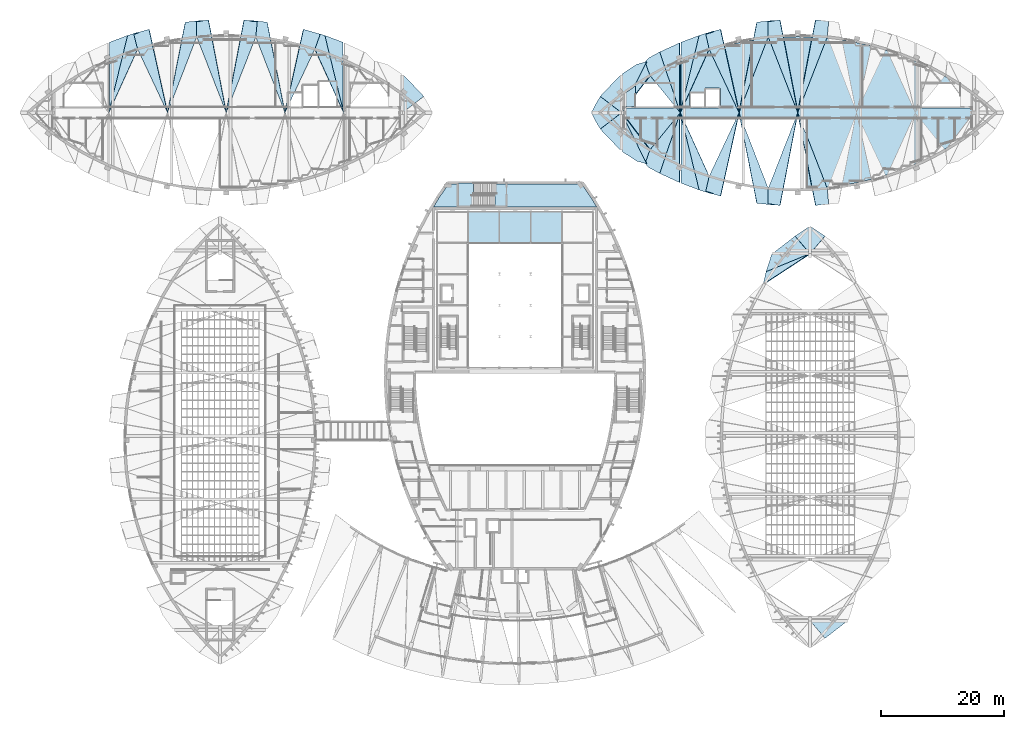
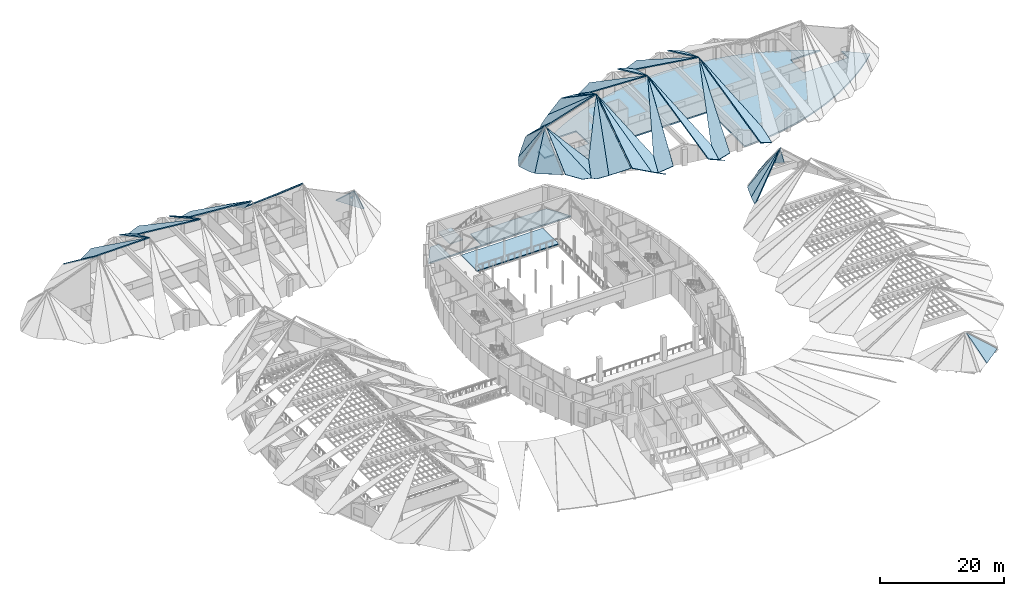
# One storey, part 25 of 56: 46 slabs, 1 element without a shape of its own.
"""IFC4 building model written with IfcOpenShell, lengths in metres."""

from ifc_helpers import new_model, si_unit, direction, frame, origin, place, context, subcontext, project, spatial, polyline, outline, extrude, material, layer, layer_set, type_object, element, aggregate, save


model = new_model("IFC4")

# Units and contexts
model_context = context("Model", 3, precision=1e-05, world=origin(), true_north=direction((0.0, 1.0)))
body_context = subcontext(model_context, "Body", "Model", "MODEL_VIEW")
ifc_project = project(units=[si_unit("LENGTHUNIT", "METRE"), si_unit("AREAUNIT", "SQUARE_METRE"), si_unit("VOLUMEUNIT", "CUBIC_METRE"), si_unit("PLANEANGLEUNIT", "RADIAN"), si_unit("MASSUNIT", "GRAM", prefix="KILO")], contexts=[model_context])

# Site, building, storey
site_placement = place(None, origin())
site = spatial("IfcSite", under=ifc_project, at=site_placement, CompositionType="ELEMENT")
building_placement = place(site_placement, origin())
building = spatial("IfcBuilding", under=site, at=building_placement, Name="Tide Square Theatres", CompositionType="ELEMENT")
storey_placement = place(building_placement, frame((0.0, 0.0, 10.199951171875)))
storey = spatial("IfcBuildingStorey", under=building, at=storey_placement, Name="L02", CompositionType="ELEMENT", Elevation=10.199951171875)

# Slabs
ifc_material_1 = material(Name="Concrete C35", Category="concrete")
ifc_layer_1 = layer(ifc_material_1, 0.199951171875)
ifc_layer_set_1 = layer_set([ifc_layer_1], Name="Concrete C35")
slab_type_1 = type_object("IfcSlabType", Name="RC floor slab 200", PredefinedType="FLOOR", material=ifc_layer_set_1)
slab_1_placement = place(storey_placement, frame((0.0, 0.0, -0.199951171875)))
element("IfcSlab", 1, at=slab_1_placement, inside=storey, type_object=slab_type_1, Name="Fly gallery floor", PredefinedType="FLOOR", context=body_context, shape_type="SweptSolid", body=[
    extrude(outline(polyline([(91.634521484375, 76.634521484375), (91.634521484375, 81.72412109375), (76.365478515625, 81.72412109375), (76.365478515625, 76.634521484375), (91.634521484375, 76.634521484375)])), origin(), (0.0, 0.0, 1.0), 0.199951171875),
])
ifc_material_2 = material(Name="Concrete C35", Category="concrete")
ifc_layer_2 = layer(ifc_material_2, 0.25)
ifc_layer_set_2 = layer_set([ifc_layer_2], Name="Concrete C35")
slab_type_2 = type_object("IfcSlabType", Name="RC floor slab 250", PredefinedType="FLOOR", material=ifc_layer_set_2)
slab_2_placement = place(storey_placement, frame((0.0, 0.0, -0.25)))
element("IfcSlab", 2, at=slab_2_placement, inside=storey, type_object=slab_type_2, Name="Floor slab", PredefinedType="FLOOR", context=body_context, shape_type="SweptSolid", body=[
    extrude(outline(polyline([(71.578125, 83.892333984375), (70.710205078125, 82.449951171875), (97.289794921875, 82.449951171875), (96.421875, 83.892333984375), (94.85498046875, 86.1923828125), (80.704345703125, 86.1923828125), (80.704345703125, 82.60009765625), (74.800048828125, 82.60009765625), (74.800048828125, 86.1923828125), (73.14501953125, 86.1923828125), (71.578125, 83.892333984375)])), origin(), (0.0, 0.0, 1.0), 0.25),
])
ifc_material_3 = material(Name="Concrete C35", Category="concrete")
ifc_layer_3 = layer(ifc_material_3, 0.280029296875)
ifc_layer_set_3 = layer_set([ifc_layer_3], Name="Concrete C35")
slab_type_3 = type_object("IfcSlabType", Name="RC floor slab 280", PredefinedType="FLOOR", material=ifc_layer_set_3)
slab_3_placement = place(storey_placement, frame((0.0, 0.0, -0.280029296875)))
element("IfcSlab", 3, at=slab_3_placement, inside=storey, type_object=slab_type_3, Name="Rehearsal Block floor slab L02", PredefinedType="FLOOR", context=body_context, shape_type="SweptSolid", body=[
    extrude(outline(polyline([(158.560546875, 94.95166015625), (160.484619140625, 96.473876953125), (161.993896484375, 97.800048828125), (160.484619140625, 99.1259765625), (158.560546875, 100.648193359375), (158.39990234375, 100.761474609375), (158.39990234375, 98.699951171875), (158.300048828125, 98.699951171875), (158.300048828125, 98.60009765625), (150.10009765625, 98.60009765625), (150.10009765625, 98.699951171875), (150.0, 98.699951171875), (150.0, 102.64990234375), (150.10009765625, 102.64990234375), (150.10009765625, 102.75), (155.48486328125, 102.75), (153.9609375, 103.697998046875), (151.53662109375, 105.017822265625), (149.03955078125, 106.195068359375), (146.72265625, 107.134521484375), (144.359130859375, 107.951171875), (141.9560546875, 108.642578125), (139.519775390625, 109.20703125), (137.1611328125, 109.626953125), (134.7841796875, 109.927490234375), (132.39501953125, 110.1083984375), (130.0, 110.168701171875), (127.60498046875, 110.1083984375), (125.2158203125, 109.927490234375), (122.8388671875, 109.626953125), (120.480224609375, 109.20703125), (118.0439453125, 108.642578125), (115.640869140625, 107.951171875), (113.27734375, 107.134521484375), (110.96044921875, 106.195068359375), (108.46337890625, 105.017822265625), (106.0390625, 103.697998046875), (104.51513671875, 102.75), (109.89990234375, 102.75), (109.89990234375, 102.64990234375), (110.0, 102.64990234375), (110.0, 98.699951171875), (109.89990234375, 98.699951171875), (109.89990234375, 98.60009765625), (101.699951171875, 98.60009765625), (101.699951171875, 98.699951171875), (101.60009765625, 98.699951171875), (101.60009765625, 100.761474609375), (101.439453125, 100.648193359375), (99.515380859375, 99.1259765625), (98.006103515625, 97.800048828125), (99.515380859375, 96.473876953125), (101.439453125, 94.95166015625), (103.6953125, 93.35986328125), (106.0390625, 91.90185546875), (108.46337890625, 90.582275390625), (109.89990234375, 89.905029296875), (109.89990234375, 89.92138671875), (109.91455078125, 89.923583984375), (109.927734375, 89.9296875), (109.938720703125, 89.939697265625), (109.9462890625, 89.9521484375), (109.94970703125, 89.96630859375), (109.949951171875, 96.85009765625), (131.449951171875, 96.85009765625), (131.449951171875, 85.529052734375), (131.4521484375, 85.5146484375), (131.45849609375, 85.50146484375), (131.46826171875, 85.490478515625), (131.48095703125, 85.48291015625), (131.4951171875, 85.4794921875), (131.5, 85.46923828125), (132.39501953125, 85.49169921875), (134.7841796875, 85.67236328125), (137.1611328125, 85.97314453125), (139.519775390625, 86.39306640625), (141.9560546875, 86.957275390625), (144.359130859375, 87.64892578125), (146.72265625, 88.465576171875), (149.03955078125, 89.405029296875), (151.53662109375, 90.582275390625), (153.9609375, 91.90185546875), (156.3046875, 93.35986328125), (158.560546875, 94.95166015625)]), holes=[polyline([(117.39990234375, 101.699951171875), (117.39990234375, 98.699951171875), (117.300048828125, 98.699951171875), (117.300048828125, 98.60009765625), (114.89990234375, 98.60009765625), (112.5, 98.60009765625), (112.5, 98.699951171875), (112.39990234375, 98.699951171875), (112.39990234375, 101.10009765625), (112.5, 101.10009765625), (112.5, 101.199951171875), (114.800048828125, 101.199951171875), (114.800048828125, 101.699951171875), (114.89990234375, 101.699951171875), (114.89990234375, 101.800048828125), (117.300048828125, 101.800048828125), (117.300048828125, 101.699951171875), (117.39990234375, 101.699951171875)])]), origin(), (0.0, 0.0, 1.0), 0.280029296875),
])
slab_4_placement = place(storey_placement, frame((0.0, 0.0, -0.280029296875)))
element("IfcSlab", 4, at=slab_4_placement, inside=storey, type_object=slab_type_3, Name="Rehearsal Block floor slab L02", PredefinedType="FLOOR", context=body_context, shape_type="SweptSolid", body=[
    extrude(outline(polyline([(103.600830078125, 102.17333984375), (101.61328125, 100.770751953125), (101.800048828125, 100.770751953125), (101.800048828125, 98.800048828125), (103.600830078125, 98.800048828125), (103.600830078125, 102.17333984375)])), origin(), (0.0, 0.0, 1.0), 0.280029296875),
])

# Stair, slab
ifc_material_4 = material(Name="Concrete C35", Category="concrete")
stair_type = type_object("IfcStairType", Name="Stair half turn 1800 wide, 28 risers, rise 4600", PredefinedType="HALF_TURN_STAIR", material=ifc_material_4)
stair_placement = place(storey_placement, origin())
stair = element("IfcStair", 5, at=stair_placement, inside=storey, type_object=stair_type, Name="Main Theatre North Stair", PredefinedType="HALF_TURN_STAIR")
ifc_material_5 = material(Name="Concrete C35", Category="concrete")
ifc_layer_4 = layer(ifc_material_5, 0.199951171875)
ifc_layer_set_4 = layer_set([ifc_layer_4], Name="Concrete C35")
slab_type_4 = type_object("IfcSlabType", Name="RC landing slab 200", PredefinedType="LANDING", material=ifc_layer_set_4)
slab_5_placement = place(storey_placement, frame((0.0, 0.0, 2.10009765625)))
slab_5 = element("IfcSlab", 6, at=slab_5_placement, type_object=slab_type_4, Name="ST-1800-4600 landing 1", PredefinedType="LANDING", context=body_context, shape_type="SweptSolid", body=[
    extrude(outline(polyline([(77.22998046875, 86.39990234375), (74.800048828125, 86.39990234375), (74.800048828125, 82.60009765625), (77.22998046875, 82.60009765625), (77.22998046875, 86.39990234375)])), origin(), (0.0, 0.0, 1.0), 0.199951171875),
])
aggregate(stair, [slab_5])

# Slabs
ifc_material_6 = material(Name="Concrete C40", Category="concrete")
ifc_layer_5 = layer(ifc_material_6, 0.199951171875)
ifc_layer_set_5 = layer_set([ifc_layer_5], Name="Concrete C40")
slab_type_5 = type_object("IfcSlabType", Name="RC roof slab 200", PredefinedType="ROOF", material=ifc_layer_set_5)
slab_6_placement = place(storey_placement, frame((124.68359375, 70.084228515625, 0.60009765625), z_axis=(-0.643714238724, 0.148574281776, 0.750704776632), x_axis=(0.714543766074, 0.467885303597, 0.520106286294)))
element("IfcSlab", 7, at=slab_6_placement, inside=storey, type_object=slab_type_5, Name="Roof plate blackbox-P058", PredefinedType="ROOF", context=body_context, shape_type="SweptSolid", body=[
    extrude(outline(polyline([(0.0, 0.0), (10.239218583282375, 4.440892098500626e-16), (0.8525325142473058, 1.6620956280765924), (-0.2815454040723172, 0.21398583864742554), (0.0, 0.0)])), origin(), (0.0, 0.0, -1.0), 0.199951171875),
])
slab_7_placement = place(storey_placement, frame((125.75048828125, 74.73779296875, 0.37451171875), z_axis=(-0.651841129726, 0.209992899881, 0.728701669819), x_axis=(-0.306634505872, -0.951827337183, 0.0)))
element("IfcSlab", 8, at=slab_7_placement, inside=storey, type_object=slab_type_5, Name="Roof plate blackbox-P059", PredefinedType="ROOF", context=body_context, shape_type="SweptSolid", body=[
    extrude(outline(polyline([(0.0, 0.0), (2.9443262710539138, 0.0), (-1.8141293898416808, 7.727795903360272), (0.0, 0.0)])), origin(), (0.0, 0.0, -1.0), 0.199951171875),
])
slab_8_placement = place(storey_placement, frame((134.43798828125, 12.27490234375, 0.4541015625), z_axis=(0.505388987693, -0.652221904847, 0.564967749483), x_axis=(0.790463748329, 0.612508826531, 0.0)))
element("IfcSlab", 9, at=slab_8_placement, inside=storey, type_object=slab_type_5, Name="Roof plate blackbox-P061", PredefinedType="ROOF", context=body_context, shape_type="SweptSolid", body=[
    extrude(outline(polyline([(0.0, 0.0), (4.429942539145969, 0.0), (-0.1725403548716351, 6.312464078288514), (0.0, 0.0)])), origin(), (0.0, 0.0, -1.0), 0.199951171875),
])
slab_9_placement = place(storey_placement, frame((134.4375, 77.724365234375, 0.45556640625), z_axis=(0.454892584477, 0.690472240964, 0.562424058026), x_axis=(-0.83506454786, 0.550151979827, 0.0)))
element("IfcSlab", 10, at=slab_9_placement, inside=storey, type_object=slab_type_5, Name="Roof plate blackbox-P066", PredefinedType="ROOF", context=body_context, shape_type="SweptSolid", body=[
    extrude(outline(polyline([(0.0, 0.0), (2.8046227344058856, 0.0), (0.44955319966979107, 6.355902273658434), (0.0, 0.0)])), origin(), (0.0, 0.0, -1.0), 0.199951171875),
])
slab_10_placement = place(storey_placement, frame((131.904541015625, 79.267333984375, 0.45556640625), z_axis=(-0.454892584477, 0.690472240964, 0.562424058026), x_axis=(-0.83506454786, -0.550151979827, 0.0)))
element("IfcSlab", 11, at=slab_10_placement, inside=storey, type_object=slab_type_5, Name="Roof plate blackbox-P067", PredefinedType="ROOF", context=body_context, shape_type="SweptSolid", body=[
    extrude(outline(polyline([(0.0, 0.0), (2.8046227344058856, 0.0), (2.3550695347360944, 6.355902273658434), (0.0, 0.0)])), origin(), (0.0, 0.0, -1.0), 0.199951171875),
])
slab_11_placement = place(storey_placement, frame((129.56201171875, 77.72509765625, 0.4541015625), z_axis=(-0.505388987693, 0.652221904847, 0.564967749483), x_axis=(-0.790463748329, -0.612508826531, 0.0)))
element("IfcSlab", 12, at=slab_11_placement, inside=storey, type_object=slab_type_5, Name="Roof plate blackbox-P068", PredefinedType="ROOF", context=body_context, shape_type="SweptSolid", body=[
    extrude(outline(polyline([(0.0, 0.0), (4.429942539145969, 0.0), (-0.1725403548716351, 6.312464078288514), (0.0, 0.0)])), origin(), (0.0, 0.0, -1.0), 0.199951171875),
])
slab_12_placement = place(storey_placement, frame((20.9541015625, 110.379150390625, 0.94775390625), z_axis=(0.06623032582, 0.598255508903, 0.798563641803), x_axis=(-0.88487122122, -0.334627393753, 0.324079356341)))
element("IfcSlab", 13, at=slab_12_placement, inside=storey, type_object=slab_type_5, Name="Roof plate workshops-P036", PredefinedType="ROOF", context=body_context, shape_type="SweptSolid", body=[
    extrude(outline(polyline([(0.0, 0.0), (3.35611159147586, -1.1102230246251565e-16), (9.725310402656666, 12.222679632660084), (0.0, 0.0)])), origin(), (0.0, 0.0, -1.0), 0.199951171875),
])
slab_13_placement = place(storey_placement, frame((20.9541015625, 110.379150390625, 0.94775390625), z_axis=(0.099074281078, 0.591495763917, 0.800198130525), x_axis=(-0.190127628326, -0.778087179559, 0.598691762055)))
element("IfcSlab", 14, at=slab_13_placement, inside=storey, type_object=slab_type_5, Name="Roof plate workshops-P037", PredefinedType="ROOF", context=body_context, shape_type="SweptSolid", body=[
    extrude(outline(polyline([(0.0, 0.0), (16.1666032458858, -6.106226635438361e-16), (2.3011176626064285, 2.113107156845806), (-0.595881590544826, 0.893574770098355), (-1.094357546926303, 1.621641256552425), (-1.0886864027730347, 1.5277726735445867), (0.0, 0.0)])), origin(), (0.0, 0.0, -1.0), 0.199951171875),
])
slab_14_placement = place(storey_placement, frame((27.440185546875, 97.800048828125, 10.913330078125), z_axis=(-0.422766148913, 0.449226345244, 0.787060654633), x_axis=(-0.179509424658, 0.809771314649, -0.558611478964)))
element("IfcSlab", 15, at=slab_14_placement, inside=storey, type_object=slab_type_5, Name="Roof plate workshops-P038", PredefinedType="ROOF", context=body_context, shape_type="SweptSolid", body=[
    extrude(outline(polyline([(0.0, 0.0), (16.76549582209641, 4.440892098500626e-16), (17.144450857781187, 2.727072173806849), (14.00239996529097, 2.6411646859378646), (0.0, 0.0)])), origin(), (0.0, 0.0, -1.0), 0.199951171875),
])
slab_15_placement = place(storey_placement, frame((30.3427734375, 112.535888671875, 1.58349609375), z_axis=(0.255405319126, 0.480789752331, 0.838814244643), x_axis=(-0.164162160911, -0.833425704154, 0.527685873016)))
element("IfcSlab", 16, at=slab_15_placement, inside=storey, type_object=slab_type_5, Name="Roof plate workshops-P042", PredefinedType="ROOF", context=body_context, shape_type="SweptSolid", body=[
    extrude(outline(polyline([(0.0, 0.0), (17.680944389574357, 1.1102230246251565e-15), (2.134610178837508, 2.312620666676484), (-0.783198107922328, 1.7279167860996378), (-1.2527378791404447, 2.816476058496956), (-1.2949365880693902, 2.8225649141952798), (0.0, 0.0)])), origin(), (0.0, 0.0, -1.0), 0.199951171875),
])
slab_16_placement = place(storey_placement, frame((37.0, 97.800048828125, 11.199951171875), z_axis=(-0.342870464133, 0.453614779365, 0.822601651327), x_axis=(-0.160466265227, 0.834530112985, -0.527076909233)))
element("IfcSlab", 17, at=slab_16_placement, inside=storey, type_object=slab_type_5, Name="Roof plate workshops-P043", PredefinedType="ROOF", context=body_context, shape_type="SweptSolid", body=[
    extrude(outline(polyline([(0.0, 0.0), (18.07772743621113, 4.440892098500626e-16), (18.641196377135536, 2.0430970755247295), (15.696054855494086, 2.4692722108014946), (0.0, 0.0)])), origin(), (0.0, 0.0, -1.0), 0.199951171875),
])
slab_17_placement = place(storey_placement, frame((39.90087890625, 112.886474609375, 1.671630859375), z_axis=(0.342873009651, 0.453616067354, 0.82259988007), x_axis=(-0.160465436525, -0.834529016633, 0.527078897394)))
element("IfcSlab", 18, at=slab_17_placement, inside=storey, type_object=slab_type_5, Name="Roof plate workshops-P047", PredefinedType="ROOF", context=body_context, shape_type="SweptSolid", body=[
    extrude(outline(polyline([(0.0, 0.0), (18.077727436063157, 0.0), (2.381672580736537, 2.469272210782692), (-0.6134800034335333, 2.2248884796326287), (0.0, 0.0)])), origin(), (0.0, 0.0, -1.0), 0.199951171875),
])
slab_18_placement = place(storey_placement, frame((46.559814453125, 97.800048828125, 11.48681640625), z_axis=(-0.245501598222, 0.512060501985, 0.823117857647), x_axis=(-0.160702242425, 0.81585720021, -0.555474408183)))
element("IfcSlab", 19, at=slab_18_placement, inside=storey, type_object=slab_type_5, Name="Roof plate workshops-P048", PredefinedType="ROOF", context=body_context, shape_type="SweptSolid", body=[
    extrude(outline(polyline([(0.0, 0.0), (18.061709760814125, -6.661338147750939e-16), (19.369029714819476, 2.815747987671669), (19.32600435635726, 2.8096871912561565), (18.777146014182854, 1.5519794132849496), (15.868445072490749, 2.3070431517808276), (0.0, 0.0)])), origin(), (0.0, 0.0, -1.0), 0.199951171875),
])
slab_19_placement = place(storey_placement, frame((49.5693359375, 111.376220703125, 1.415771484375), z_axis=(0.424272006735, 0.476957846031, 0.769743124302), x_axis=(-0.175281852205, -0.790709261236, 0.586562133523)))
element("IfcSlab", 20, at=slab_19_placement, inside=storey, type_object=slab_type_5, Name="Roof plate workshops-P052", PredefinedType="ROOF", context=body_context, shape_type="SweptSolid", body=[
    extrude(outline(polyline([(0.0, 0.0), (17.169612929908467, 0.0), (2.810558823049419, 2.637005161369771), (-0.4475770837669907, 2.987055768609711), (0.0, 0.0)])), origin(), (0.0, 0.0, -1.0), 0.199951171875),
])
slab_20_placement = place(storey_placement, frame((56.11962890625, 97.800048828125, 11.589111328125), z_axis=(-0.065074652102, 0.646114760415, 0.76046104833), x_axis=(-0.181247514853, 0.741747248247, -0.645724676683)))
element("IfcSlab", 21, at=slab_20_placement, inside=storey, type_object=slab_type_5, Name="Roof plate workshops-P053", PredefinedType="ROOF", context=body_context, shape_type="SweptSolid", body=[
    extrude(outline(polyline([(0.0, 0.0), (16.95874660122697, -4.440892098500626e-16), (17.461479966463084, 0.7147365700821405), (17.46858223717171, 0.7808458137553919), (17.39880958394936, 0.6773032556645879), (14.456439446459013, 2.119677336280744), (0.0, 0.0)])), origin(), (0.0, 0.0, -1.0), 0.199951171875),
])
slab_21_placement = place(storey_placement, frame((53.0458984375, 110.379150390625, 0.638427734375), z_axis=(-0.02843194865, 0.652368738466, 0.75736824159), x_axis=(0.181252410743, -0.741750037515, 0.645720098375)))
element("IfcSlab", 22, at=slab_21_placement, inside=storey, type_object=slab_type_5, Name="Roof plate workshops-P054", PredefinedType="ROOF", context=body_context, shape_type="SweptSolid", body=[
    extrude(outline(polyline([(0.0, 0.0), (16.377745527410646, 2.220446049250313e-16), (2.0670313499123716, 2.638640982679802), (0.0, 0.0)])), origin(), (0.0, 0.0, -1.0), 0.199951171875),
])
slab_22_placement = place(storey_placement, frame((69.1220703125, 100.435302734375, 0.459716796875), z_axis=(0.65927905337, 0.505987691993, 0.556172262288), x_axis=(-0.608881403568, 0.79326126251, 7.6091522e-05)))
element("IfcSlab", 23, at=slab_22_placement, inside=storey, type_object=slab_type_5, Name="Roof plate workshops-P068", PredefinedType="ROOF", context=body_context, shape_type="SweptSolid", body=[
    extrude(outline(polyline([(0.0, 0.0), (0.6546801849085839, 2.7755575615628914e-17), (4.770654709073006, 0.9037800923142743), (0.005499313128475888, 7.480559383794949), (0.0, 0.0)])), origin(), (0.0, 0.0, -1.0), 0.199951171875),
])
slab_23_placement = place(storey_placement, frame((103.793212890625, 89.921630859375, 0.374755859375), z_axis=(-0.178013644011, -0.66219448838, 0.727880211371), x_axis=(0.965721873335, -0.259579010356, 2.7311934e-05)))
element("IfcSlab", 24, at=slab_23_placement, inside=storey, type_object=slab_type_5, Name="Roof plate rehearsal-P001", PredefinedType="ROOF", context=body_context, shape_type="SweptSolid", body=[
    extrude(outline(polyline([(0.0, 0.0), (1.6705328274869389, -1.1102230246251565e-16), (-4.226688285931531, 9.24626440507435), (-2.6528243358009003, 1.2011072389629083), (0.0, 0.0)])), origin(), (0.0, 0.0, -1.0), 0.199951171875),
])
slab_24_placement = place(storey_placement, frame((105.9384765625, 91.72900390625, 2.400146484375), z_axis=(-0.117595985781, -0.650314501676, 0.750507983327), x_axis=(-0.520388219908, 0.684030757186, 0.511173183769)))
element("IfcSlab", 25, at=slab_24_placement, inside=storey, type_object=slab_type_5, Name="Roof plate rehearsal-P002", PredefinedType="ROOF", context=body_context, shape_type="SweptSolid", body=[
    extrude(outline(polyline([(0.0, 0.0), (8.875397572544687, -1.1102230246251565e-15), (-1.8675202741764825, 1.9612902295326888), (0.0, 0.0)])), origin(), (0.0, 0.0, -1.0), 0.199951171875),
])
slab_25_placement = place(storey_placement, frame((107.529541015625, 87.916259765625, 1.037841796875), z_axis=(-0.519969974524, -0.471489505242, 0.71227022403), x_axis=(0.243273294568, 0.717585510911, 0.652601822462)))
element("IfcSlab", 26, at=slab_25_placement, inside=storey, type_object=slab_type_5, Name="Roof plate rehearsal-P003", PredefinedType="ROOF", context=body_context, shape_type="SweptSolid", body=[
    extrude(outline(polyline([(0.0, 0.0), (13.773559347960825, 0.0), (3.2379489825529753, 2.9051788968457872), (0.5299787106096371, 2.9396512759527855), (1.0665592214772783, 3.5039755422514274), (0.4483499746661139, 3.674516593115496), (-0.166261209351521, 2.1219503799499075), (0.0, 0.0)])), origin(), (0.0, 0.0, -1.0), 0.199951171875),
])
slab_26_placement = place(storey_placement, frame((107.529541015625, 87.916259765625, 1.037841796875), z_axis=(-0.489763541544, -0.489868173917, 0.721221772798), x_axis=(0.862270624422, -0.394480870498, 0.317607010424)))
element("IfcSlab", 27, at=slab_26_placement, inside=storey, type_object=slab_type_5, Name="Roof plate rehearsal-P004", PredefinedType="ROOF", context=body_context, shape_type="SweptSolid", body=[
    extrude(outline(polyline([(0.0, 0.0), (3.7665700794948553, 0.0), (1.788428627557392, 13.230363907333352), (0.0, 0.0)])), origin(), (0.0, 0.0, -1.0), 0.199951171875),
])
slab_27_placement = place(storey_placement, frame((113.9541015625, 85.220947265625, 1.14013671875), z_axis=(0.091732783049, -0.559507356838, 0.82373333923), x_axis=(-0.19571930528, 0.800955000653, 0.56583128269)))
element("IfcSlab", 28, at=slab_27_placement, inside=storey, type_object=slab_type_5, Name="Roof plate rehearsal-P006", PredefinedType="ROOF", context=body_context, shape_type="SweptSolid", body=[
    extrude(outline(polyline([(0.0, 0.0), (15.17963320672834, -5.551115123125783e-16), (2.100388944503825, 2.621840644276902), (0.0, 0.0)])), origin(), (0.0, 0.0, -1.0), 0.199951171875),
])
slab_28_placement = place(storey_placement, frame((110.88037109375, 97.800048828125, 10.0263671875), z_axis=(0.121533321224, -0.552724941488, 0.824454238202), x_axis=(0.195716392917, -0.800960210931, -0.565824914659)))
element("IfcSlab", 29, at=slab_28_placement, inside=storey, type_object=slab_type_5, Name="Roof plate rehearsal-P007", PredefinedType="ROOF", context=body_context, shape_type="SweptSolid", body=[
    extrude(outline(polyline([(0.0, 0.0), (15.704989877586463, -1.1102230246251565e-16), (17.153127848278423, 2.022713459005412), (17.155058341882324, 2.1279568779853166), (16.34837409265048, 0.9564596706246756), (13.518574304417246, 2.111170132673807), (0.0, 0.0)])), origin(), (0.0, 0.0, -1.0), 0.199951171875),
])
slab_29_placement = place(storey_placement, frame((117.4306640625, 84.2236328125, 1.68603515625), z_axis=(-0.420610792613, -0.41833606762, 0.805035089711), x_axis=(0.183899029788, 0.829610035015, 0.527189090029)))
element("IfcSlab", 30, at=slab_29_placement, inside=storey, type_object=slab_type_5, Name="Roof plate rehearsal-P008", PredefinedType="ROOF", context=body_context, shape_type="SweptSolid", body=[
    extrude(outline(polyline([(0.0, 0.0), (16.364743323167758, -1.3322676295501878e-15), (2.7195104942591906, 2.645422582283846), (-0.3368018845961379, 2.654238810147346), (0.0, 0.0)])), origin(), (0.0, 0.0, -1.0), 0.199951171875),
])
slab_30_placement = place(storey_placement, frame((120.440185546875, 97.800048828125, 10.313232421875), z_axis=(0.265745351464, -0.446099549126, 0.854619564745), x_axis=(0.167739170414, -0.851576529122, -0.496669896166)))
element("IfcSlab", 31, at=slab_30_placement, inside=storey, type_object=slab_type_5, Name="Roof plate rehearsal-P012", PredefinedType="ROOF", context=body_context, shape_type="SweptSolid", body=[
    extrude(outline(polyline([(0.0, 0.0), (17.304193724736944, 8.881784197001252e-16), (18.583547740585296, 2.830670513700952), (18.542593852453326, 2.824543200785863), (18.08409614912552, 1.7467851380785104), (15.224988996677752, 2.3192813477267564), (0.0, 0.0)])), origin(), (0.0, 0.0, -1.0), 0.199951171875),
])
slab_31_placement = place(storey_placement, frame((127.09912109375, 82.71337890625, 1.795166015625), z_axis=(-0.346183256286, -0.422354163092, 0.837719591502), x_axis=(0.163821866106, 0.851999265291, 0.49725209716)))
element("IfcSlab", 32, at=slab_31_placement, inside=storey, type_object=slab_type_5, Name="Roof plate rehearsal-P013", PredefinedType="ROOF", context=body_context, shape_type="SweptSolid", body=[
    extrude(outline(polyline([(0.0, 0.0), (17.707329808538216, -2.220446049250313e-16), (2.3405486139440663, 2.475503114854422), (-0.5416390038447828, 2.033643190903359), (0.0, 0.0)])), origin(), (0.0, 0.0, -1.0), 0.199951171875),
])
slab_32_placement = place(storey_placement, frame((130.0, 97.800048828125, 10.60009765625), z_axis=(0.346175123357, -0.422349776065, 0.837725164136), x_axis=(0.163824580539, -0.852002576992, -0.497245528497)))
element("IfcSlab", 33, at=slab_32_placement, inside=storey, type_object=slab_type_5, Name="Roof plate rehearsal-P017", PredefinedType="ROOF", context=body_context, shape_type="SweptSolid", body=[
    extrude(outline(polyline([(0.0, 0.0), (17.707329808698134, -2.220446049250313e-16), (18.297369410259684, 2.2152900454326856), (15.36678119477521, 2.4755031148744076), (0.0, 0.0)])), origin(), (0.0, 0.0, -1.0), 0.199951171875),
])
slab_33_placement = place(storey_placement, frame((105.406494140625, 106.112060546875, 0.374755859375), z_axis=(-0.178013644011, 0.66219448838, 0.727880211371), x_axis=(-0.965702460656, -0.259651219183, 4.312824e-05)))
element("IfcSlab", 34, at=slab_33_placement, inside=storey, type_object=slab_type_5, Name="Roof plate rehearsal-P031", PredefinedType="ROOF", context=body_context, shape_type="SweptSolid", body=[
    extrude(outline(polyline([(0.0, 0.0), (1.6705962100834852, -1.1102230246251565e-16), (4.323480526318124, 1.2006631081986845), (5.898234312397276, 9.24583016234023), (0.0, 0.0)])), origin(), (0.0, 0.0, -1.0), 0.199951171875),
])
slab_34_placement = place(storey_placement, frame((105.25146484375, 105.79638671875, 0.6240234375), z_axis=(-0.11757226983, 0.650321109329, 0.750505973413), x_axis=(-0.360030328582, -0.732244992054, 0.578096388255)))
element("IfcSlab", 35, at=slab_34_placement, inside=storey, type_object=slab_type_5, Name="Roof plate rehearsal-P032", PredefinedType="ROOF", context=body_context, shape_type="SweptSolid", body=[
    extrude(outline(polyline([(0.0, 0.0), (10.920303965750922, -4.440892098500626e-16), (2.18939016900773, 1.594008163960554), (0.0, 0.0)])), origin(), (0.0, 0.0, -1.0), 0.199951171875),
])
slab_35_placement = place(storey_placement, frame((110.88037109375, 97.800048828125, 10.0263671875), z_axis=(-0.51999951949, 0.471465289774, 0.712264684136), x_axis=(-0.243276712562, 0.717588610503, -0.652597140049)))
element("IfcSlab", 36, at=slab_35_placement, inside=storey, type_object=slab_type_5, Name="Roof plate rehearsal-P033", PredefinedType="ROOF", context=body_context, shape_type="SweptSolid", body=[
    extrude(outline(polyline([(0.0, 0.0), (13.773559348812654, 0.0), (13.93982055654842, 2.1219503849647894), (13.325034180768096, 3.674641743470548), (12.7068249339519, 3.5041006927674725), (13.243405444882534, 2.939776427464783), (10.535435172897632, 2.905304047700632), (0.0, 0.0)])), origin(), (0.0, 0.0, -1.0), 0.199951171875),
])
slab_36_placement = place(storey_placement, frame((107.529541015625, 107.683837890625, 1.037841796875), z_axis=(-0.489763541544, 0.489868173917, 0.721221772798), x_axis=(0.243268473901, -0.717589880806, 0.652598814411)))
element("IfcSlab", 37, at=slab_36_placement, inside=storey, type_object=slab_type_5, Name="Roof plate rehearsal-P034", PredefinedType="ROOF", context=body_context, shape_type="SweptSolid", body=[
    extrude(outline(polyline([(0.0, 0.0), (13.35069309348155, 0.0), (0.5045612022314165, 3.732622155663317), (0.0, 0.0)])), origin(), (0.0, 0.0, -1.0), 0.199951171875),
])
slab_37_placement = place(storey_placement, frame((113.9541015625, 110.379150390625, 1.14013671875), z_axis=(0.091732783049, 0.559507356838, 0.82373333923), x_axis=(-0.884363962895, -0.334443500472, 0.325650005566)))
element("IfcSlab", 38, at=slab_37_placement, inside=storey, type_object=slab_type_5, Name="Roof plate rehearsal-P036", PredefinedType="ROOF", context=body_context, shape_type="SweptSolid", body=[
    extrude(outline(polyline([(0.0, 0.0), (3.359416925922743, 1.1102230246251565e-16), (9.490674861762773, 11.846871104182483), (0.0, 0.0)])), origin(), (0.0, 0.0, -1.0), 0.199951171875),
])
slab_38_placement = place(storey_placement, frame((113.9541015625, 110.379150390625, 1.14013671875), z_axis=(0.121591012942, 0.552708323443, 0.824456872595), x_axis=(-0.195716819478, -0.800962150869, 0.565822021)))
element("IfcSlab", 39, at=slab_38_placement, inside=storey, type_object=slab_type_5, Name="Roof plate rehearsal-P037", PredefinedType="ROOF", context=body_context, shape_type="SweptSolid", body=[
    extrude(outline(polyline([(0.0, 0.0), (15.704989877677418, -8.326672684688674e-17), (2.1866111205043204, 2.1112263189235283), (-0.6433842147288638, 0.9564596747986828), (-1.4500684635476757, 2.127956887316765), (-1.4481379701469714, 2.0227134650415497), (0.0, 0.0)])), origin(), (0.0, 0.0, -1.0), 0.199951171875),
])
slab_39_placement = place(storey_placement, frame((115.58056640625, 108.141845703125, 2.400146484375), z_axis=(-0.420610792613, 0.41833606762, 0.805035089711), x_axis=(0.349633672257, -0.744059871846, 0.569325216666)))
element("IfcSlab", 40, at=slab_39_placement, inside=storey, type_object=slab_type_5, Name="Roof plate rehearsal-P038", PredefinedType="ROOF", context=body_context, shape_type="SweptSolid", body=[
    extrude(outline(polyline([(0.0, 0.0), (13.899121909246489, 6.661338147750939e-16), (-2.1662737970234747, 3.114683901068083), (-3.002299248992779, 0.5732005060147887), (0.0, 0.0)])), origin(), (0.0, 0.0, -1.0), 0.199951171875),
])
slab_40_placement = place(storey_placement, frame((123.3427734375, 112.535888671875, 1.71875), z_axis=(0.265746048314, 0.446097018524, 0.854620668992), x_axis=(-0.167739857783, -0.85157768298, 0.496667685642)))
element("IfcSlab", 41, at=slab_40_placement, inside=storey, type_object=slab_type_5, Name="Roof plate rehearsal-P042", PredefinedType="ROOF", context=body_context, shape_type="SweptSolid", body=[
    extrude(outline(polyline([(0.0, 0.0), (17.30419372464782, 2.220446049250313e-16), (2.0792047279547115, 2.3192813476861067), (-0.7799024239303924, 1.7467851382895527), (-1.2381922228719295, 2.8246104228763618), (-1.2793540157976766, 2.8306705137243426), (0.0, 0.0)])), origin(), (0.0, 0.0, -1.0), 0.199951171875),
])
slab_41_placement = place(storey_placement, frame((130.0, 97.800048828125, 10.60009765625), z_axis=(-0.346149132755, 0.422369399534, 0.837726010239), x_axis=(-0.163824352835, 0.851996171936, -0.49725657806)))
element("IfcSlab", 42, at=slab_41_placement, inside=storey, type_object=slab_type_5, Name="Roof plate rehearsal-P043", PredefinedType="ROOF", context=body_context, shape_type="SweptSolid", body=[
    extrude(outline(polyline([(0.0, 0.0), (17.70712180096589, 8.881784197001252e-16), (18.248977487032047, 2.0335653471262316), (15.366791753773487, 2.4754375683268837), (0.0, 0.0)])), origin(), (0.0, 0.0, -1.0), 0.199951171875),
])
slab_42_placement = place(storey_placement, frame((132.90087890625, 112.886474609375, 1.795166015625), z_axis=(0.346141337922, 0.422365194492, 0.837731351128), x_axis=(-0.163826954272, -0.851999346219, 0.497250282147)))
element("IfcSlab", 43, at=slab_42_placement, inside=storey, type_object=slab_type_5, Name="Roof plate rehearsal-P047", PredefinedType="ROOF", context=body_context, shape_type="SweptSolid", body=[
    extrude(outline(polyline([(0.0, 0.0), (17.70712180092473, 1.3322676295501878e-15), (2.3403300471978428, 2.475437568321741), (-0.5902570580936151, 2.2152120012423997), (0.0, 0.0)])), origin(), (0.0, 0.0, -1.0), 0.199951171875),
])
slab_43_placement = place(storey_placement, frame((97.8779296875, 95.16455078125, 0.459716796875), z_axis=(-0.65927376018, -0.505979747872, 0.556185763825), x_axis=(0.608879375431, -0.793262819071, 7.7805203e-05)))
element("IfcSlab", 44, at=slab_43_placement, inside=storey, type_object=slab_type_5, Name="Roof plate rehearsal-P061", PredefinedType="ROOF", context=body_context, shape_type="SweptSolid", body=[
    extrude(outline(polyline([(0.0, 0.0), (0.6546801846298076, 0.0), (4.7706547111044495, 0.9037800815911866), (0.005305662173552249, 7.4806420750063864), (0.0, 0.0)])), origin(), (0.0, 0.0, -1.0), 0.199951171875),
])
slab_44_placement = place(storey_placement, frame((97.401611328125, 95.89453125, 0.46044921875), z_axis=(-0.696320129887, -0.454942573351, 0.555126590668), x_axis=(0.546967699338, -0.837153710907, 1.3971438e-05)))
element("IfcSlab", 45, at=slab_44_placement, inside=storey, type_object=slab_type_5, Name="Roof plate rehearsal-P062", PredefinedType="ROOF", context=body_context, shape_type="SweptSolid", body=[
    extrude(outline(polyline([(0.0, 0.0), (0.871699306325374, 0.0), (0.559688401712762, 7.504144614216924), (-2.040227451530242, 0.336130284220256), (0.0, 0.0)])), origin(), (0.0, 0.0, -1.0), 0.199951171875),
])
slab_45_placement = place(storey_placement, frame((97.87841796875, 100.43505859375, 0.46044921875), z_axis=(-0.696300753813, 0.454975090893, 0.555124244568), x_axis=(-0.547033562305, -0.837110672283, -6.3729129e-05)))
element("IfcSlab", 46, at=slab_45_placement, inside=storey, type_object=slab_type_5, Name="Roof plate rehearsal-P063", PredefinedType="ROOF", context=body_context, shape_type="SweptSolid", body=[
    extrude(outline(polyline([(0.0, 0.0), (0.8714949306552708, 0.0), (2.9116937802344998, 0.33630383077611126), (0.3111682056328187, 7.504096978272488), (0.0, 0.0)])), origin(), (0.0, 0.0, -1.0), 0.199951171875),
])
slab_46_placement = place(storey_placement, frame((98.276611328125, 100.95458984375, 0.459716796875), z_axis=(-0.65927905337, 0.505987691993, 0.556172262288), x_axis=(-0.608881403568, -0.79326126251, -7.6091522e-05)))
element("IfcSlab", 47, at=slab_46_placement, inside=storey, type_object=slab_type_5, Name="Roof plate rehearsal-P064", PredefinedType="ROOF", context=body_context, shape_type="SweptSolid", body=[
    extrude(outline(polyline([(0.0, 0.0), (0.6546801849085839, -2.7755575615628914e-17), (0.6491808717801083, 7.480559383794949), (-4.1159745241644226, 0.9037800923142743), (0.0, 0.0)])), origin(), (0.0, 0.0, -1.0), 0.199951171875),
])

save(model, "model.ifc")
